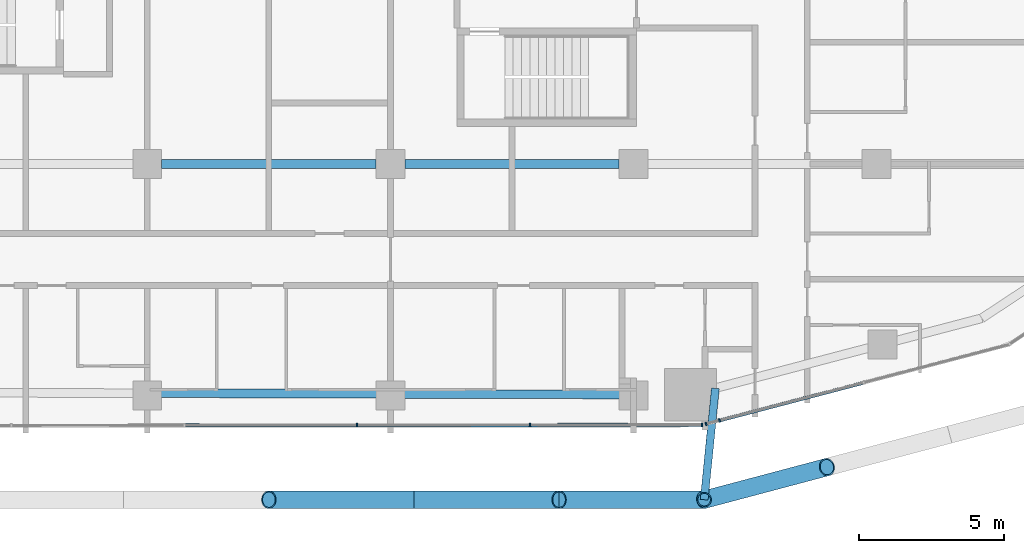
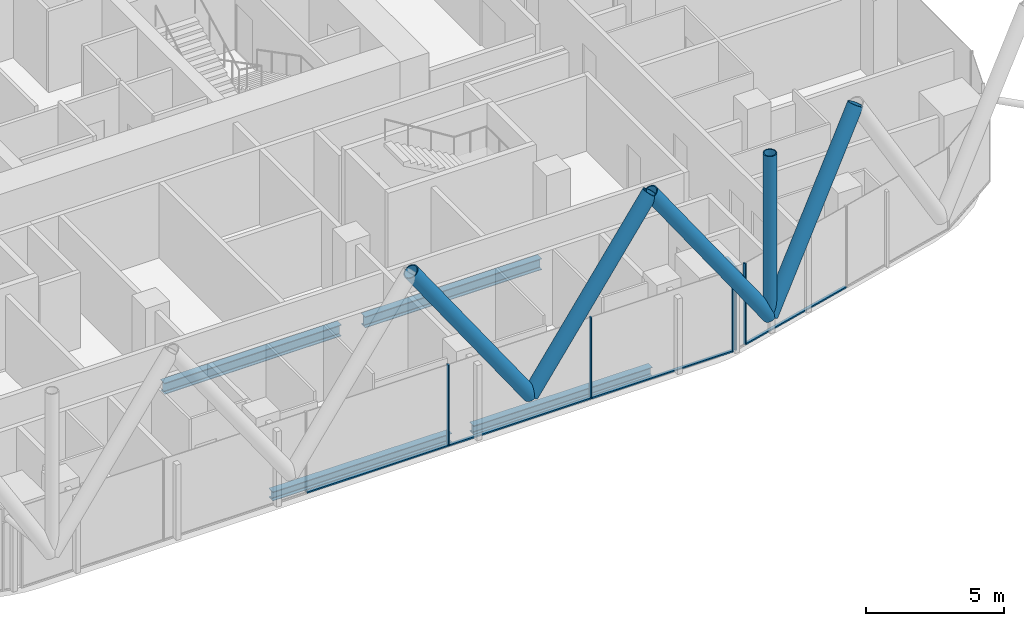
# One storey, part 5 of 35: 15 members, 4 beams, 3 elements without a shape of their own.
"""IFC4 building model written with IfcOpenShell, lengths in metres."""

from ifc_helpers import new_model, si_unit, direction, frame, origin, origin_2d, place, context, subcontext, project, spatial, rectangle, hollow_circle, i_section, extrude, material, layer, layer_set, material_profile, profile_set, type_object, element, aggregate, save


model = new_model("IFC4")

# Units and contexts
model_context = context("Model", 3, precision=1e-05, world=origin(), true_north=direction((0.0, 1.0)))
body_context = subcontext(model_context, "Body", "Model", "MODEL_VIEW")
ifc_project = project(units=[si_unit("LENGTHUNIT", "METRE"), si_unit("AREAUNIT", "SQUARE_METRE"), si_unit("VOLUMEUNIT", "CUBIC_METRE"), si_unit("PLANEANGLEUNIT", "RADIAN"), si_unit("MASSUNIT", "GRAM", prefix="KILO")], contexts=[model_context])

# Site, building, storey
site_placement = place(None, origin())
site = spatial("IfcSite", under=ifc_project, at=site_placement, CompositionType="ELEMENT")
building_placement = place(site_placement, origin())
building = spatial("IfcBuilding", under=site, at=building_placement, Name="Marenta Gate Hotel Tower", CompositionType="ELEMENT")
storey_placement = place(building_placement, frame((0.0, 0.0, 61.699951171875)))
storey = spatial("IfcBuildingStorey", under=building, at=storey_placement, Name="L13", CompositionType="ELEMENT", Elevation=61.699951171875)

# Members
ifc_material_1 = material(Name="Steel S355J2W", Category="steel")
ifc_material_profile_1 = material_profile(ifc_material_1, hollow_circle(Radius=0.25390625, WallThickness=0.0400390625, at=origin_2d()), Name="CHS 508x40")
ifc_profile_set_1 = profile_set([ifc_material_profile_1], Name="Steel S355J2W")
member_type_1 = type_object("IfcMemberType", Name="Diagrid corner post Z1 CHS 508x40", PredefinedType="POST", material=ifc_profile_set_1)
member_1_placement = place(storey_placement, frame((15.0390625, -20.0, 3.14013671875), z_axis=(0.0, 0.0, 1.0), x_axis=(1.0, 0.0, 0.0)))
element("IfcMember", 1, at=member_1_placement, inside=storey, type_object=member_type_1, Name="L13-DR-3", PredefinedType="POST", context=body_context, shape_type="SweptSolid", body=[
    extrude(hollow_circle(Radius=0.25390625, WallThickness=0.0400390625, at=origin_2d()), origin(), (0.0, 0.0, 1.0), 7.199951171875),
])
ifc_material_2 = material(Name="Steel S355J2W", Category="steel")
ifc_material_profile_2 = material_profile(ifc_material_2, hollow_circle(Radius=0.304931640625, WallThickness=0.0400390625, at=origin_2d()), Name="CHS 610x40")
ifc_profile_set_2 = profile_set([ifc_material_profile_2], Name="Steel S355J2W")
member_type_2 = type_object("IfcMemberType", Name="Diagrid diagonal Z1 CHS 610x40", PredefinedType="BRACE", material=ifc_profile_set_2)
member_2_placement = place(storey_placement, frame((15.0390625, -20.0, 3.14013671875), z_axis=(0.502924018666, 0.133433548941, 0.853968921838), x_axis=(-0.256443187528, 0.96655930577, 0.0)))
element("IfcMember", 2, at=member_2_placement, inside=storey, type_object=member_type_2, Name="L13-DG-14", PredefinedType="BRACE", context=body_context, shape_type="SweptSolid", body=[
    extrude(hollow_circle(Radius=0.304931640625, WallThickness=0.0400390625, at=origin_2d()), origin(), (0.0, 0.0, 1.0), 8.43115234375),
])
member_3_placement = place(storey_placement, frame((15.0390625, -20.0, 3.14013671875), z_axis=(-0.571411767966, 0.0, 0.820663506822), x_axis=(0.0, -1.0, 0.0)))
element("IfcMember", 3, at=member_3_placement, inside=storey, type_object=member_type_2, Name="L13-DG-15", PredefinedType="BRACE", context=body_context, shape_type="SweptSolid", body=[
    extrude(hollow_circle(Radius=0.304931640625, WallThickness=0.0400390625, at=origin_2d()), origin(), (0.0, 0.0, 1.0), 8.7734375),
])
for number, where, z_axis, x_axis, name in (
    (4, (5.012939453125, -20.0, 3.14013671875), (0.571393025954, 0.0, 0.820676556197), (0.0, 1.0, 0.0), "L13-DG-16"),
    (5, (5.012939453125, -20.0, 3.14013671875), (-0.571393025954, 0.0, 0.820676556197), (0.0, -1.0, 0.0), "L13-DG-17"),
):
    element("IfcMember", number, at=place(storey_placement, frame(where, z_axis=z_axis, x_axis=x_axis)), inside=storey, type_object=member_type_2, Name=name, PredefinedType="BRACE", context=body_context, shape_type="SweptSolid", body=[
        extrude(hollow_circle(Radius=0.304931640625, WallThickness=0.0400390625, at=origin_2d()), origin(), (0.0, 0.0, 1.0), 8.773193359375),
    ])

# Beams
ifc_material_3 = material(Name="Steel S355", Category="steel")
ifc_material_profile_3 = material_profile(ifc_material_3, i_section(OverallWidth=0.300048828125, OverallDepth=0.39990234375, WebThickness=0.013427734375, FlangeThickness=0.02392578125, FilletRadius=0.027099609375, at=origin_2d()), Name="HEB 400")
ifc_profile_set_3 = profile_set([ifc_material_profile_3], Name="Steel S355")
beam_type_1 = type_object("IfcBeamType", Name="Edge beam HEB 400", PredefinedType="SPANDREL", material=ifc_profile_set_3)
for number, where, z_axis, x_axis, name in (
    (6, (12.139892578125, -16.365966796875, -0.4599609375), (-0.99999624158, 0.002741683018, 0.0), (-0.002741683018, -0.99999624158, 0.0), "L13-EB-32"),
    (7, (3.739990234375, -16.3427734375, -0.4599609375), (-0.99999624158, 0.002741683018, 0.0), (-0.002741683018, -0.99999624158, 0.0), "L13-EB-33"),
):
    element("IfcBeam", number, at=place(storey_placement, frame(where, z_axis=z_axis, x_axis=x_axis)), inside=storey, type_object=beam_type_1, Name=name, PredefinedType="SPANDREL", context=body_context, shape_type="SweptSolid", body=[
        extrude(i_section(OverallWidth=0.300048828125, OverallDepth=0.39990234375, WebThickness=0.013427734375, FlangeThickness=0.02392578125, FilletRadius=0.027099609375, at=origin_2d()), origin(), (0.0, 0.0, 1.0), 7.47998046875),
    ])

# Member
ifc_material_4 = material(Name="Steel S355J2W", Category="steel")
ifc_material_profile_4 = material_profile(ifc_material_4, hollow_circle(Radius=0.136474609375, WallThickness=0.012451171875, at=origin_2d()), Name="CHS 273x12.5")
ifc_profile_set_4 = profile_set([ifc_material_profile_4], Name="Steel S355J2W")
member_type_3 = type_object("IfcMemberType", Name="Floor tie CHS 273x12.5", PredefinedType="STRUT", material=ifc_profile_set_4)
member_4_placement = place(storey_placement, frame((15.0390625, -20.0, 3.14013671875), z_axis=(0.100354093407, 0.994951785735, 0.0), x_axis=(-0.994951785735, 0.100354093407, 0.0)))
element("IfcMember", 8, at=member_4_placement, inside=storey, type_object=member_type_3, Name="L13-DR-9", PredefinedType="STRUT", context=body_context, shape_type="SweptSolid", body=[
    extrude(hollow_circle(Radius=0.136474609375, WallThickness=0.012451171875, at=origin_2d()), origin(), (0.0, 0.0, 1.0), 3.86572265625),
])

# Beams
ifc_material_5 = material(Name="Steel S355", Category="steel")
ifc_material_profile_5 = material_profile(ifc_material_5, i_section(OverallWidth=0.300048828125, OverallDepth=0.5, WebThickness=0.014404296875, FlangeThickness=0.028076171875, FilletRadius=0.027099609375, at=origin_2d()), Name="HEB 500")
ifc_profile_set_5 = profile_set([ifc_material_profile_5], Name="Steel S355")
beam_type_2 = type_object("IfcBeamType", Name="Girder HEB 500", PredefinedType="BEAM", material=ifc_profile_set_5)
beam_1_placement = place(storey_placement, frame((-3.699951171875, -8.39990234375, -0.510009765625), z_axis=(1.0, 0.0, 0.0), x_axis=(0.0, 1.0, 0.0)))
element("IfcBeam", 9, at=beam_1_placement, inside=storey, type_object=beam_type_2, Name="L13-GD-4", PredefinedType="BEAM", context=body_context, shape_type="SweptSolid", body=[
    extrude(i_section(OverallWidth=0.300048828125, OverallDepth=0.5, WebThickness=0.014404296875, FlangeThickness=0.028076171875, FilletRadius=0.027099609375, at=origin_2d()), origin(), (0.0, 0.0, 1.0), 7.39990234375),
])
beam_2_placement = place(storey_placement, frame((4.699951171875, -8.39990234375, -0.510009765625), z_axis=(1.0, 0.0, 0.0), x_axis=(0.0, 1.0, 0.0)))
element("IfcBeam", 10, at=beam_2_placement, inside=storey, type_object=beam_type_2, Name="L13-GD-5", PredefinedType="BEAM", context=body_context, shape_type="SweptSolid", body=[
    extrude(i_section(OverallWidth=0.300048828125, OverallDepth=0.5, WebThickness=0.014404296875, FlangeThickness=0.028076171875, FilletRadius=0.027099609375, at=origin_2d()), origin(), (0.0, 0.0, 1.0), 7.400146484375),
])

# Curtain wall, members
ifc_material_6 = material(Name="Tinted insulated glass in bronze anodised frame", Category="glass")
ifc_layer = layer(ifc_material_6, 0.1201171875)
ifc_layer_set = layer_set([ifc_layer], Name="Tinted insulated glass in bronze anodised frame")
curtain_wall_type = type_object("IfcCurtainWallType", Name="Tower unitised curtain wall CW1", PredefinedType="NOTDEFINED", material=ifc_layer_set)
curtain_wall_1_placement = place(storey_placement, origin())
curtain_wall_1 = element("IfcCurtainWall", 11, at=curtain_wall_1_placement, inside=storey, type_object=curtain_wall_type, Name="CW1 run G11", PredefinedType="NOTDEFINED")
ifc_material_7 = material(Name="Bronze anodised aluminium", Category="aluminium")
ifc_material_profile_6 = material_profile(ifc_material_7, rectangle(XDim=0.1201171875, YDim=0.06005859375, at=origin_2d()), Name="Mullion CW1 60x120 bronze anodised aluminium")
ifc_profile_set_6 = profile_set([ifc_material_profile_6], Name="Bronze anodised aluminium")
member_type_4 = type_object("IfcMemberType", Name="Mullion CW1 60x120 bronze anodised aluminium", PredefinedType="MULLION", material=ifc_profile_set_6)
member_5_placement = place(storey_placement, frame((3.048095703125, -17.427001953125, 0.0), z_axis=(0.0, 0.0, 1.0), x_axis=(-0.001161921639, 0.999999324969, 0.0)))
member_5 = element("IfcMember", 12, at=member_5_placement, type_object=member_type_4, Name="CW1 mullion 4", PredefinedType="MULLION", context=body_context, shape_type="SweptSolid", body=[
    extrude(rectangle(XDim=0.1201171875, YDim=0.06005859375, at=origin_2d()), origin(), (0.0, 0.0, 1.0), 3.60009765625),
])
member_6_placement = place(storey_placement, frame((9.020751953125, -17.419921875, 0.0), z_axis=(0.0, 0.0, 1.0), x_axis=(-0.001161921639, 0.999999324969, 0.0)))
member_6 = element("IfcMember", 13, at=member_6_placement, type_object=member_type_4, Name="CW1 mullion 5", PredefinedType="MULLION", context=body_context, shape_type="SweptSolid", body=[
    extrude(rectangle(XDim=0.1201171875, YDim=0.06005859375, at=origin_2d()), origin(), (0.0, 0.0, 1.0), 3.60009765625),
])
member_7_placement = place(storey_placement, frame((14.963623046875, -17.4130859375, 0.0), z_axis=(0.0, 0.0, 1.0), x_axis=(-0.001161921639, 0.999999324969, 0.0)))
member_7 = element("IfcMember", 14, at=member_7_placement, type_object=member_type_4, Name="CW1 mullion 6", PredefinedType="MULLION", context=body_context, shape_type="SweptSolid", body=[
    extrude(rectangle(XDim=0.1201171875, YDim=0.06005859375, at=origin_2d()), origin(), (0.0, 0.0, 1.0), 3.60009765625),
])

# Curtain wall, member
curtain_wall_2_placement = place(storey_placement, origin())
curtain_wall_2 = element("IfcCurtainWall", 15, at=curtain_wall_2_placement, inside=storey, type_object=curtain_wall_type, Name="CW1 run G12", PredefinedType="NOTDEFINED")
member_8_placement = place(storey_placement, frame((15.103515625, -17.38427734375, 0.0), z_axis=(0.0, 0.0, 1.0), x_axis=(-0.25342392363, 0.967355319897, 0.0)))
member_8 = element("IfcMember", 16, at=member_8_placement, type_object=member_type_4, Name="CW1 mullion 1", PredefinedType="MULLION", context=body_context, shape_type="SweptSolid", body=[
    extrude(rectangle(XDim=0.1201171875, YDim=0.06005859375, at=origin_2d()), origin(), (0.0, 0.0, 1.0), 3.00048828125),
])
aggregate(curtain_wall_2, [member_8])

curtain_wall_3_placement = place(storey_placement, origin())
curtain_wall_3 = element("IfcCurtainWall", 17, at=curtain_wall_3_placement, inside=storey, type_object=curtain_wall_type, Name="CW1 run G13", PredefinedType="NOTDEFINED")
member_9_placement = place(storey_placement, frame((15.571044921875, -17.26171875, 0.0), z_axis=(0.0, 0.0, 1.0), x_axis=(-0.253363691666, 0.967371097224, 0.0)))
member_9 = element("IfcMember", 18, at=member_9_placement, type_object=member_type_4, Name="CW1 mullion 1", PredefinedType="MULLION", context=body_context, shape_type="SweptSolid", body=[
    extrude(rectangle(XDim=0.1201171875, YDim=0.06005859375, at=origin_2d()), origin(), (0.0, 0.0, 1.0), 3.60009765625),
])

# Member
ifc_material_8 = material(Name="Bronze anodised aluminium", Category="aluminium")
ifc_material_profile_7 = material_profile(ifc_material_8, rectangle(XDim=0.1201171875, YDim=0.06005859375, at=origin_2d()), Name="Transom CW1 60x120 bronze anodised aluminium")
ifc_profile_set_7 = profile_set([ifc_material_profile_7], Name="Bronze anodised aluminium")
member_type_5 = type_object("IfcMemberType", Name="Transom CW1 60x120 bronze anodised aluminium", PredefinedType="USERDEFINED", material=ifc_profile_set_7)
member_10_placement = place(storey_placement, frame((-2.894775390625, -17.433837890625, 0.030029296875), z_axis=(0.999999331697, 0.001156116326, 0.0), x_axis=(-0.001156116326, 0.999999331697, 0.0)))
member_10 = element("IfcMember", 19, at=member_10_placement, type_object=member_type_5, Name="CW1 transom 3.1", ObjectType="TRANSOM", PredefinedType="USERDEFINED", context=body_context, shape_type="SweptSolid", body=[
    extrude(rectangle(XDim=0.1201171875, YDim=0.06005859375, at=origin_2d()), origin(), (0.0, 0.0, 1.0), 5.912841796875),
])

member_11_placement = place(storey_placement, frame((3.077880859375, -17.427001953125, 0.030029296875), z_axis=(0.999999331697, 0.001156116326, 0.0), x_axis=(-0.001156116326, 0.999999331697, 0.0)))
member_11 = element("IfcMember", 20, at=member_11_placement, type_object=member_type_5, Name="CW1 transom 4.1", ObjectType="TRANSOM", PredefinedType="USERDEFINED", context=body_context, shape_type="SweptSolid", body=[
    extrude(rectangle(XDim=0.1201171875, YDim=0.06005859375, at=origin_2d()), origin(), (0.0, 0.0, 1.0), 5.912841796875),
])

member_12_placement = place(storey_placement, frame((9.05078125, -17.419921875, 0.030029296875), z_axis=(0.999999324857, 0.001162017808, 0.0), x_axis=(-0.001162017808, 0.999999324857, 0.0)))
member_12 = element("IfcMember", 21, at=member_12_placement, type_object=member_type_5, Name="CW1 transom 5.1", ObjectType="TRANSOM", PredefinedType="USERDEFINED", context=body_context, shape_type="SweptSolid", body=[
    extrude(rectangle(XDim=0.1201171875, YDim=0.06005859375, at=origin_2d()), origin(), (0.0, 0.0, 1.0), 5.8828125),
])

aggregate(curtain_wall_1, [member_5, member_6, member_7, member_10, member_11, member_12])

member_13_placement = place(storey_placement, frame((15.60009765625, -17.254150390625, 0.030029296875), z_axis=(0.967374461707, 0.253350845344, 0.0), x_axis=(-0.253350845344, 0.967374461707, 0.0)))
member_13 = element("IfcMember", 22, at=member_13_placement, type_object=member_type_5, Name="CW1 transom 1.1", ObjectType="TRANSOM", PredefinedType="USERDEFINED", context=body_context, shape_type="SweptSolid", body=[
    extrude(rectangle(XDim=0.1201171875, YDim=0.06005859375, at=origin_2d()), origin(), (0.0, 0.0, 1.0), 5.091796875),
])

aggregate(curtain_wall_3, [member_9, member_13])

save(model, "model.ifc")
